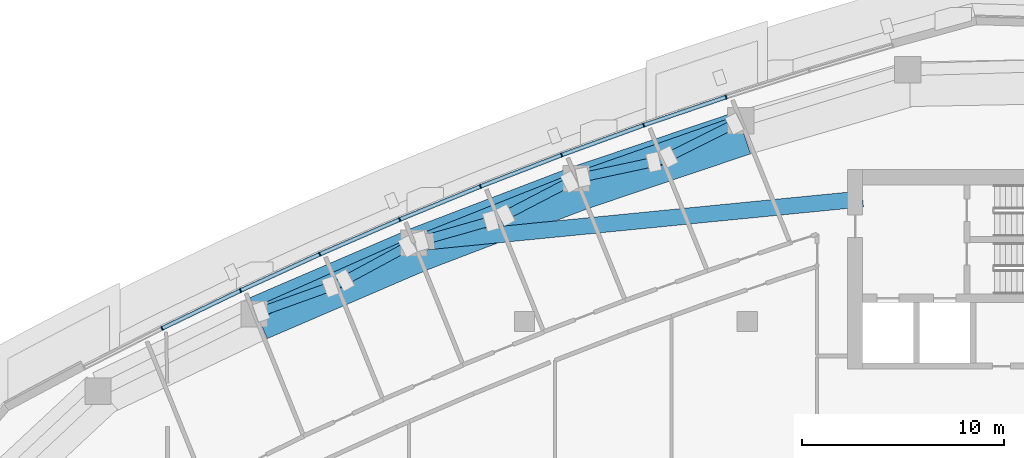
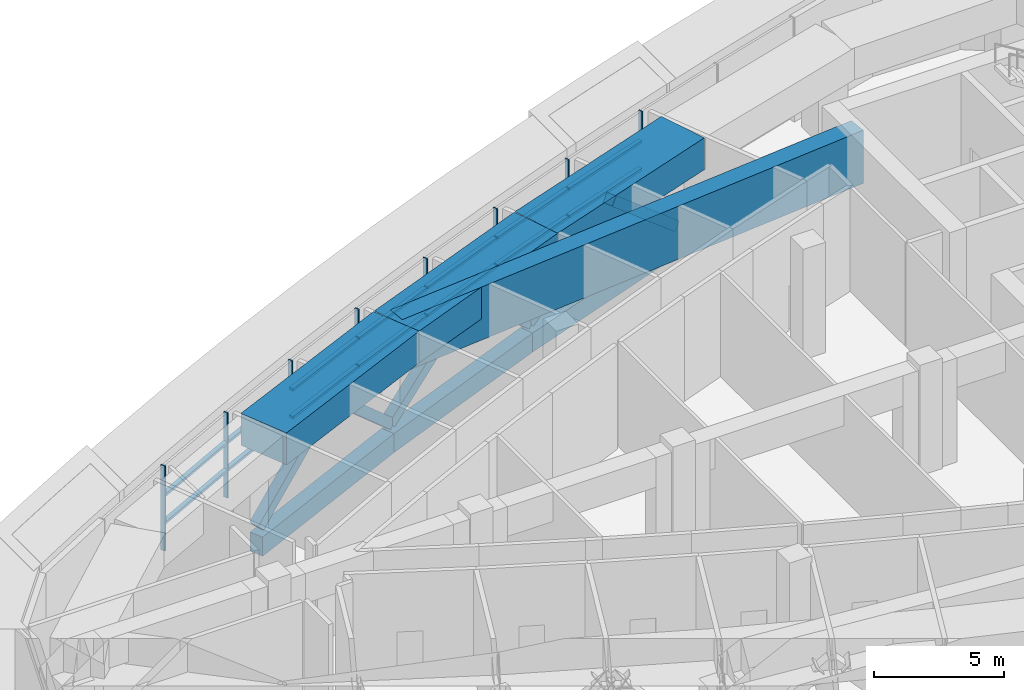
# One storey, part 6 of 17: 28 members, 7 beams, 5 elements without a shape of their own.
"""IFC4 building model written with IfcOpenShell, lengths in metres."""

import ifcopenshell
import ifcopenshell.guid

model = None  # the IFC model being written
_history = None  # IfcOwnerHistory: only IFC2X3 demands one
_inside = {}  # id of a spatial element -> (the spatial element, [elements in it])
_under = {}  # id of a project, library or spatial element -> (it, [spatial elements below it])
_declared = {}  # id of a project -> (the project, [libraries it declares])
_typed = {}  # id of a type object -> (the type object, [elements of that type])
_made_of = {}  # id of a material, layer set ... -> (it, [elements and type objects made of it])


def new_model(schema):
    """Start an empty IFC model of exactly this schema.

    Asked for "IFC4X3", IfcOpenShell would pick the latest addendum, in which some entities
    have other attributes; the version numbers below select the first issue.
    IFC2X3 requires an IfcOwnerHistory on every rooted entity: one is made here for all.
    """
    global model, _history
    if schema == "IFC4X3":
        model = ifcopenshell.file(schema_version=(4, 3, 0, 0))
    else:
        model = ifcopenshell.file(schema=schema)
    _inside.clear()
    _under.clear()
    _declared.clear()
    _typed.clear()
    _made_of.clear()
    _history = None
    if model.schema == "IFC2X3":
        org = make("IfcOrganization", Name="unknown")
        user = make(
            "IfcPersonAndOrganization",
            ThePerson=make("IfcPerson", FamilyName="unknown"),
            TheOrganization=org,
        )
        app = make(
            "IfcApplication",
            ApplicationDeveloper=org,
            Version="unknown",
            ApplicationFullName="unknown",
            ApplicationIdentifier="unknown",
        )
        _history = make(
            "IfcOwnerHistory",
            OwningUser=user,
            OwningApplication=app,
            ChangeAction="ADDED",
            CreationDate=0,
        )
    return model


def make(cls, **values):
    """One entity of the class cls with the attributes given. An attribute that is None is left unset."""
    return model.create_entity(
        cls, **{name: value for name, value in values.items() if value is not None}
    )


def rooted(cls, **values):
    """An entity with a GlobalId (a new one), such as an element, a storey or a relation."""
    return make(cls, GlobalId=ifcopenshell.guid.new(), OwnerHistory=_history, **values)


def si_unit(unit_type, name, prefix=None):
    """IfcSIUnit, for example si_unit("LENGTHUNIT", "METRE", prefix="MILLI")."""
    return make("IfcSIUnit", UnitType=unit_type, Prefix=prefix, Name=name)


def assignment(units):
    """IfcUnitAssignment: the units of a project."""
    return None if units is None else make("IfcUnitAssignment", Units=units)


def point(xyz):
    """IfcCartesianPoint."""
    return None if xyz is None else make("IfcCartesianPoint", Coordinates=xyz)


def direction(xyz):
    """IfcDirection."""
    return None if xyz is None else make("IfcDirection", DirectionRatios=xyz)


def frame(location, z_axis=None, x_axis=None):
    """IfcAxis2Placement3D, a coordinate frame: its origin and axes. An axis left out is left unset."""
    return make(
        "IfcAxis2Placement3D",
        Location=point(location),
        Axis=direction(z_axis),
        RefDirection=direction(x_axis),
    )


def frame_2d(location, x_axis=None):
    """IfcAxis2Placement2D, a coordinate frame in the plane: its origin and x axis."""
    return make(
        "IfcAxis2Placement2D", Location=point(location), RefDirection=direction(x_axis)
    )


def origin():
    """The frame at (0, 0, 0) with its axes left unset."""
    return frame((0.0, 0.0, 0.0))


def origin_2d():
    """The frame at (0, 0) in the plane with its x axis left unset."""
    return frame_2d((0.0, 0.0))


def place(relative_to, where):
    """IfcLocalPlacement: puts the frame where relative to a parent placement (None: the world)."""
    return make(
        "IfcLocalPlacement", PlacementRelTo=relative_to, RelativePlacement=where
    )


def context(
    kind, dimensions, precision=None, world=None, true_north=None, identifier=None
):
    """IfcGeometricRepresentationContext, for example the 3D "Model" context."""
    return make(
        "IfcGeometricRepresentationContext",
        ContextIdentifier=identifier,
        ContextType=kind,
        CoordinateSpaceDimension=dimensions,
        Precision=precision,
        WorldCoordinateSystem=world,
        TrueNorth=true_north,
    )


def subcontext(parent, identifier, kind, view, scale=None):
    """IfcGeometricRepresentationSubContext, for example "Body" below "Model"."""
    return make(
        "IfcGeometricRepresentationSubContext",
        ContextIdentifier=identifier,
        ContextType=kind,
        ParentContext=parent,
        TargetScale=scale,
        TargetView=view,
    )


def project(units=None, contexts=None):
    """IfcProject with its units and contexts."""
    return rooted(
        "IfcProject",
        Name="project",
        RepresentationContexts=contexts,
        UnitsInContext=assignment(units),
    )


def spatial(cls, under=None, at=None, **own):
    """A site, building, storey or space (cls), placed at a placement, below another one or the project."""
    s = rooted(cls, ObjectPlacement=at, **own)
    if under is not None:
        _under.setdefault(under.id(), (under, []))[1].append(s)
    return s


def profile(cls, at=None, kind="AREA", **sizes):
    """A parametric profile (cls). Its sizes go by their IFC names, for example OverallWidth=200.0."""
    return make(cls, ProfileType=kind, Position=at, **sizes)


def rectangle(**sizes):
    """IfcRectangleProfileDef."""
    return profile("IfcRectangleProfileDef", **sizes)


def hollow_rectangle(**sizes):
    """IfcRectangleHollowProfileDef."""
    return profile("IfcRectangleHollowProfileDef", **sizes)


def extrude(swept, where, along, depth):
    """IfcExtrudedAreaSolid: the profile swept, set in the frame where, extruded along a direction by depth."""
    return make(
        "IfcExtrudedAreaSolid",
        SweptArea=swept,
        Position=where,
        ExtrudedDirection=direction(along),
        Depth=depth,
    )


def shape(context_of_items, identifier, shape_type, items):
    """IfcShapeRepresentation: the items that make up one representation, for example the "Body"."""
    return make(
        "IfcShapeRepresentation",
        ContextOfItems=context_of_items,
        RepresentationIdentifier=identifier,
        RepresentationType=shape_type,
        Items=items,
    )


def material(Name=None, Category=None):
    """IfcMaterial."""
    return make("IfcMaterial", Name=Name, Category=Category)


def layer(
    of_material, thickness, ventilated=None, Name=None, Category=None, Priority=None
):
    """IfcMaterialLayer: one layer of a wall or slab, of a material (None: an air gap)."""
    return make(
        "IfcMaterialLayer",
        Material=of_material,
        LayerThickness=thickness,
        IsVentilated=ventilated,
        Name=Name,
        Category=Category,
        Priority=Priority,
    )


def layer_set(layers, Name=None):
    """IfcMaterialLayerSet."""
    return make("IfcMaterialLayerSet", MaterialLayers=layers, LayerSetName=Name)


def material_profile(
    of_material, cross_section, Name=None, Category=None, Priority=None
):
    """IfcMaterialProfile: a cross section and its material."""
    return make(
        "IfcMaterialProfile",
        Name=Name,
        Material=of_material,
        Profile=cross_section,
        Priority=Priority,
        Category=Category,
    )


def profile_set(profiles, Name=None, composite=None):
    """IfcMaterialProfileSet."""
    return make(
        "IfcMaterialProfileSet",
        Name=Name,
        MaterialProfiles=profiles,
        CompositeProfile=composite,
    )


def made_of(thing, what):
    """Note that an element or type object is made of a material, layer set ...; save() writes the relation."""
    if what is not None:
        _made_of.setdefault(what.id(), (what, []))[1].append(thing)
    return thing


def type_object(cls, material=None, **own):
    """A type object (cls), such as IfcWallType, which elements share."""
    return made_of(rooted(cls, **own), material)


def element(
    cls,
    number,
    at=None,
    inside=None,
    cuts=None,
    type_object=None,
    material=None,
    context=None,
    identifier="Body",
    shape_type=None,
    held_by="IfcProductDefinitionShape",
    body=None,
    shapes=None,
    **own,
):
    """One element of the class cls, such as IfcWall. Its Tag is "e" and its number.

    at: its placement. inside: the storey or other place that contains it. cuts: it is an
    opening in that element (IfcRelVoidsElement). A single representation is given by context,
    identifier, shape_type and body (its items); several are given by shapes. held_by: the class
    of the entity that holds the representations. save() writes the other relations.
    """
    e = rooted(cls, Tag="e%d" % number, ObjectPlacement=at, **own)
    if body is not None:
        shapes = [shape(context, identifier, shape_type, body)]
    if shapes is not None:
        e.Representation = make(held_by, Representations=shapes)
    if inside is not None:
        _inside.setdefault(inside.id(), (inside, []))[1].append(e)
    if cuts is not None:
        rooted(
            "IfcRelVoidsElement", RelatingBuildingElement=cuts, RelatedOpeningElement=e
        )
    if type_object is not None:
        _typed.setdefault(type_object.id(), (type_object, []))[1].append(e)
    return made_of(e, material)


def aggregate(whole, parts):
    """IfcRelAggregates: a whole, such as a stair, and the parts it consists of."""
    return rooted("IfcRelAggregates", RelatingObject=whole, RelatedObjects=parts)


def save(model, path):
    """Write the relations noted so far, then the file.

    IfcRelAggregates (storeys below a building ...), IfcRelContainedInSpatialStructure (elements
    in a storey), IfcRelDefinesByType, IfcRelAssociatesMaterial and IfcRelDeclares: one each for
    every whole, place, type object, material and project.
    """
    for whole, parts in _under.values():
        aggregate(whole, parts)
    for where, things in _inside.values():
        rooted(
            "IfcRelContainedInSpatialStructure",
            RelatedElements=things,
            RelatingStructure=where,
        )
    for kind, things in _typed.values():
        rooted("IfcRelDefinesByType", RelatedObjects=things, RelatingType=kind)
    for what, things in _made_of.values():
        rooted("IfcRelAssociatesMaterial", RelatedObjects=things, RelatingMaterial=what)
    for by, libraries in _declared.values():
        rooted("IfcRelDeclares", RelatingContext=by, RelatedDefinitions=libraries)
    model.write(path)


model = new_model("IFC4")

# Units and contexts
model_context = context("Model", 3, precision=1e-05, world=origin(), true_north=direction((0.0, 1.0)))
body_context = subcontext(model_context, "Body", "Model", "MODEL_VIEW")
ifc_project = project(units=[si_unit("LENGTHUNIT", "METRE"), si_unit("AREAUNIT", "SQUARE_METRE"), si_unit("VOLUMEUNIT", "CUBIC_METRE"), si_unit("PLANEANGLEUNIT", "RADIAN"), si_unit("MASSUNIT", "GRAM", prefix="KILO")], contexts=[model_context])

# Site, building, storey
site_placement = place(None, origin())
site = spatial("IfcSite", under=ifc_project, at=site_placement, CompositionType="ELEMENT")
building_placement = place(site_placement, origin())
building = spatial("IfcBuilding", under=site, at=building_placement, Name="Ostrand Prow Hotel Tower", CompositionType="ELEMENT")
storey_placement = place(building_placement, frame((0.0, 0.0, 211.0)))
storey = spatial("IfcBuildingStorey", under=building, at=storey_placement, Name="L53", CompositionType="ELEMENT", Elevation=211.0)

# Members
ifc_material_1 = material(Name="Steel S355", Category="steel")
ifc_material_profile_1 = material_profile(ifc_material_1, hollow_rectangle(XDim=0.45703125, YDim=0.45703125, WallThickness=0.025390625, at=origin_2d()), Name="HSS457x457x25.4")
ifc_profile_set_1 = profile_set([ifc_material_profile_1], Name="Steel S355")
member_type_1 = type_object("IfcMemberType", Name="Belt brace HSS457x457x25.4", PredefinedType="BRACE", material=ifc_profile_set_1)
member_1_placement = place(storey_placement, frame((20.656982421875, 9.373291015625, 0.0), z_axis=(0.715634497261, 0.256450851521, 0.649692409594), x_axis=(-0.337347800984, 0.941380083267, 0.0)))
element("IfcMember", 1, at=member_1_placement, inside=storey, type_object=member_type_1, Name="Belt brace 07", PredefinedType="BRACE", context=body_context, shape_type="SweptSolid", body=[
    extrude(hollow_rectangle(XDim=0.45703125, YDim=0.45703125, WallThickness=0.025390625, at=origin_2d()), origin(), (0.0, 0.0, 1.0), 5.77197265625),
])
member_2_placement = place(storey_placement, frame((28.5341796875, 12.878173828125, 0.0), z_axis=(-0.660262499588, -0.356806784118, 0.660864850363), x_axis=(0.47542230568, -0.879757711681, 0.0)))
element("IfcMember", 2, at=member_2_placement, inside=storey, type_object=member_type_1, Name="Belt brace 08", PredefinedType="BRACE", context=body_context, shape_type="SweptSolid", body=[
    extrude(hollow_rectangle(XDim=0.45703125, YDim=0.45703125, WallThickness=0.025390625, at=origin_2d()), origin(), (0.0, 0.0, 1.0), 5.67431640625),
])
member_3_placement = place(storey_placement, frame((28.5341796875, 12.878173828125, 0.0), z_axis=(0.72799578173, 0.2075126175, 0.653422264207), x_axis=(-0.274127299502, 0.961693414591, 0.0)))
element("IfcMember", 3, at=member_3_placement, inside=storey, type_object=member_type_1, Name="Belt brace 09", PredefinedType="BRACE", context=body_context, shape_type="SweptSolid", body=[
    extrude(hollow_rectangle(XDim=0.45703125, YDim=0.45703125, WallThickness=0.025390625, at=origin_2d()), origin(), (0.0, 0.0, 1.0), 5.739013671875),
])
member_4_placement = place(storey_placement, frame((36.547119140625, 16.060791015625, 0.0), z_axis=(-0.67026448341, -0.348104001506, 0.655415232059), x_axis=(0.460900844773, -0.887451638844, 0.0)))
element("IfcMember", 4, at=member_4_placement, inside=storey, type_object=member_type_1, Name="Belt brace 10", PredefinedType="BRACE", context=body_context, shape_type="SweptSolid", body=[
    extrude(hollow_rectangle(XDim=0.45703125, YDim=0.45703125, WallThickness=0.025390625, at=origin_2d()), origin(), (0.0, 0.0, 1.0), 5.7216796875),
])
member_5_placement = place(storey_placement, frame((36.547119140625, 16.060791015625, 0.0), z_axis=(0.737718452306, 0.157374237624, 0.656509584439), x_axis=(-0.208631245637, 0.977994377972, 0.0)))
element("IfcMember", 5, at=member_5_placement, inside=storey, type_object=member_type_1, Name="Belt brace 11", PredefinedType="BRACE", context=body_context, shape_type="SweptSolid", body=[
    extrude(hollow_rectangle(XDim=0.45703125, YDim=0.45703125, WallThickness=0.025390625, at=origin_2d()), origin(), (0.0, 0.0, 1.0), 5.7119140625),
])
member_6_placement = place(storey_placement, frame((44.6826171875, 18.91552734375, 0.0), z_axis=(-0.679924440852, -0.339094483948, 0.650167428966), x_axis=(0.446299704061, -0.894883553405, 0.0)))
element("IfcMember", 6, at=member_6_placement, inside=storey, type_object=member_type_1, Name="Belt brace 12", PredefinedType="BRACE", context=body_context, shape_type="SweptSolid", body=[
    extrude(hollow_rectangle(XDim=0.45703125, YDim=0.45703125, WallThickness=0.025390625, at=origin_2d()), origin(), (0.0, 0.0, 1.0), 5.767822265625),
])

# Beams
ifc_material_2 = material(Name="Concrete C60/75", Category="concrete")
ifc_material_profile_2 = material_profile(ifc_material_2, rectangle(XDim=2.199951171875, YDim=1.5, at=origin_2d()), Name="RC 2200x1500")
ifc_profile_set_2 = profile_set([ifc_material_profile_2], Name="Concrete C60/75")
beam_type_1 = type_object("IfcBeamType", Name="Belt girder 2200x1500 C60/75", PredefinedType="BEAM", material=ifc_profile_set_2)
for number, where, z_axis, x_axis, name in (
    (7, (44.814697265625, 18.323486328125, 4.14990234375), (-0.947809184917, -0.318838123485, 0.0), (0.318838123485, -0.947809184917, 0.0), "Belt girder N2-N3"),
    (8, (36.707275390625, 15.59619140625, 4.14990234375), (-0.934073395345, -0.357081072178, 0.0), (0.357081072178, -0.934073395345, 0.0), "Belt girder N3-N4"),
    (9, (28.71728515625, 12.541748046875, 4.14990234375), (-0.918799229305, -0.394725190771, 0.0), (0.394725190771, -0.918799229305, 0.0), "Belt girder N4-N5"),
):
    element("IfcBeam", number, at=place(storey_placement, frame(where, z_axis=z_axis, x_axis=x_axis)), inside=storey, type_object=beam_type_1, Name=name, PredefinedType="BEAM", context=body_context, shape_type="SweptSolid", body=[
        extrude(rectangle(XDim=2.199951171875, YDim=1.5, at=origin_2d()), origin(), (0.0, 0.0, 1.0), 8.553955078125),
    ])
ifc_material_3 = material(Name="Concrete C60/75", Category="concrete")
ifc_material_profile_3 = material_profile(ifc_material_3, rectangle(XDim=0.60009765625, YDim=0.89990234375, at=origin_2d()), Name="RC 600x900")
ifc_profile_set_3 = profile_set([ifc_material_profile_3], Name="Concrete C60/75")
beam_type_2 = type_object("IfcBeamType", Name="Edge beam 600x900 C60/75", PredefinedType="SPANDREL", material=ifc_profile_set_3)
for number, where, z_axis, x_axis, name in (
    (10, (44.6826171875, 18.91552734375, -0.85009765625), (-0.943593618681, -0.33110584831, 0.0), (0.33110584831, -0.943593618681, 0.0), "Edge beam N2-N3"),
    (11, (36.547119140625, 16.060791015625, -0.85009765625), (-0.929376173753, -0.36913402398, 0.0), (0.36913402398, -0.929376173753, 0.0), "Edge beam N3-N4"),
    (12, (28.5341796875, 12.878173828125, -0.85009765625), (-0.91364332073, -0.406516767779, 0.0), (0.406516767779, -0.91364332073, 0.0), "Edge beam N4-N5"),
):
    element("IfcBeam", number, at=place(storey_placement, frame(where, z_axis=z_axis, x_axis=x_axis)), inside=storey, type_object=beam_type_2, Name=name, PredefinedType="SPANDREL", context=body_context, shape_type="SweptSolid", body=[
        extrude(rectangle(XDim=0.60009765625, YDim=0.89990234375, at=origin_2d()), origin(), (0.0, 0.0, 1.0), 8.621826171875),
    ])

# Curtain wall, member
ifc_material_4 = material(Name="Insulated glass in bronze anodised frame", Category="glass")
ifc_layer = layer(ifc_material_4, 0.199951171875)
ifc_layer_set = layer_set([ifc_layer], Name="Insulated glass in bronze anodised frame")
curtain_wall_type = type_object("IfcCurtainWallType", Name="Plant storey louvre wall", PredefinedType="NOTDEFINED", material=ifc_layer_set)
curtain_wall_1_placement = place(storey_placement, origin())
curtain_wall_1 = element("IfcCurtainWall", 13, at=curtain_wall_1_placement, inside=storey, type_object=curtain_wall_type, Name="CW7 run CWN1", PredefinedType="NOTDEFINED")
ifc_material_5 = material(Name="Bronze anodised aluminium", Category="aluminium")
ifc_material_profile_4 = material_profile(ifc_material_5, rectangle(XDim=0.199951171875, YDim=0.06005859375, at=origin_2d()), Name="Mullion 60x200 bronze anodised aluminium")
ifc_profile_set_4 = profile_set([ifc_material_profile_4], Name="Bronze anodised aluminium")
member_type_2 = type_object("IfcMemberType", Name="Mullion 60x200 bronze anodised aluminium", PredefinedType="MULLION", material=ifc_profile_set_4)
member_7_placement = place(storey_placement, frame((43.95361328125, 20.086669921875, 0.89990234375), z_axis=(0.0, 0.0, 1.0), x_axis=(0.303786970008, -0.952739983864, 0.0)))
member_7 = element("IfcMember", 14, at=member_7_placement, type_object=member_type_2, Name="CW7 mullion 3", PredefinedType="MULLION", context=body_context, shape_type="SweptSolid", body=[
    extrude(rectangle(XDim=0.199951171875, YDim=0.06005859375, at=origin_2d()), origin(), (0.0, 0.0, 1.0), 4.0),
])
aggregate(curtain_wall_1, [member_7])

# Curtain wall, members
curtain_wall_2_placement = place(storey_placement, origin())
curtain_wall_2 = element("IfcCurtainWall", 15, at=curtain_wall_2_placement, inside=storey, type_object=curtain_wall_type, Name="CW7 run CWN2", PredefinedType="NOTDEFINED")
member_8_placement = place(storey_placement, frame((39.87939453125, 18.696533203125, 0.89990234375), z_axis=(0.0, 0.0, 1.0), x_axis=(0.341897134919, -0.939737383067, 0.0)))
member_8 = element("IfcMember", 16, at=member_8_placement, type_object=member_type_2, Name="CW7 mullion 2", PredefinedType="MULLION", context=body_context, shape_type="SweptSolid", body=[
    extrude(rectangle(XDim=0.199951171875, YDim=0.06005859375, at=origin_2d()), origin(), (0.0, 0.0, 1.0), 4.0),
])
member_9_placement = place(storey_placement, frame((35.833740234375, 17.224609375, 0.89990234375), z_axis=(0.0, 0.0, 1.0), x_axis=(0.341897134919, -0.939737383067, 0.0)))
member_9 = element("IfcMember", 17, at=member_9_placement, type_object=member_type_2, Name="CW7 mullion 3", PredefinedType="MULLION", context=body_context, shape_type="SweptSolid", body=[
    extrude(rectangle(XDim=0.199951171875, YDim=0.06005859375, at=origin_2d()), origin(), (0.0, 0.0, 1.0), 4.0),
])

curtain_wall_3_placement = place(storey_placement, origin())
curtain_wall_3 = element("IfcCurtainWall", 18, at=curtain_wall_3_placement, inside=storey, type_object=curtain_wall_type, Name="CW7 run CWN3", PredefinedType="NOTDEFINED")
member_10_placement = place(storey_placement, frame((31.818603515625, 15.671630859375, 0.89990234375), z_axis=(0.0, 0.0, 1.0), x_axis=(0.379452929936, -0.925211042932, 0.0)))
member_10 = element("IfcMember", 19, at=member_10_placement, type_object=member_type_2, Name="CW7 mullion 2", PredefinedType="MULLION", context=body_context, shape_type="SweptSolid", body=[
    extrude(rectangle(XDim=0.199951171875, YDim=0.06005859375, at=origin_2d()), origin(), (0.0, 0.0, 1.0), 4.0),
])
member_11_placement = place(storey_placement, frame((27.83544921875, 14.0380859375, 0.89990234375), z_axis=(0.0, 0.0, 1.0), x_axis=(0.379452929936, -0.925211042932, 0.0)))
member_11 = element("IfcMember", 20, at=member_11_placement, type_object=member_type_2, Name="CW7 mullion 3", PredefinedType="MULLION", context=body_context, shape_type="SweptSolid", body=[
    extrude(rectangle(XDim=0.199951171875, YDim=0.06005859375, at=origin_2d()), origin(), (0.0, 0.0, 1.0), 4.0),
])

curtain_wall_4_placement = place(storey_placement, origin())
curtain_wall_4 = element("IfcCurtainWall", 21, at=curtain_wall_4_placement, inside=storey, type_object=curtain_wall_type, Name="CW7 run CWN4", PredefinedType="NOTDEFINED")
member_12_placement = place(storey_placement, frame((23.885986328125, 12.32470703125, 0.89990234375), z_axis=(0.0, 0.0, 1.0), x_axis=(0.416393460127, -0.909184517226, 0.0)))
member_12 = element("IfcMember", 22, at=member_12_placement, type_object=member_type_2, Name="CW7 mullion 2", PredefinedType="MULLION", context=body_context, shape_type="SweptSolid", body=[
    extrude(rectangle(XDim=0.199951171875, YDim=0.06005859375, at=origin_2d()), origin(), (0.0, 0.0, 1.0), 4.0),
])
member_13_placement = place(storey_placement, frame((19.971923828125, 10.531982421875, 0.89990234375), z_axis=(0.0, 0.0, 1.0), x_axis=(0.416393460127, -0.909184517226, 0.0)))
member_13 = element("IfcMember", 23, at=member_13_placement, type_object=member_type_2, Name="CW7 mullion 3", PredefinedType="MULLION", context=body_context, shape_type="SweptSolid", body=[
    extrude(rectangle(XDim=0.199951171875, YDim=0.06005859375, at=origin_2d()), origin(), (0.0, 0.0, 1.0), 4.0),
])

# Curtain wall, member
curtain_wall_5_placement = place(storey_placement, origin())
curtain_wall_5 = element("IfcCurtainWall", 24, at=curtain_wall_5_placement, inside=storey, type_object=curtain_wall_type, Name="CW7 run CWN5", PredefinedType="NOTDEFINED")
member_14_placement = place(storey_placement, frame((16.0947265625, 8.660888671875, 0.89990234375), z_axis=(0.0, 0.0, 1.0), x_axis=(0.452658828186, -0.891683792196, 0.0)))
member_14 = element("IfcMember", 25, at=member_14_placement, type_object=member_type_2, Name="CW7 mullion 2", PredefinedType="MULLION", context=body_context, shape_type="SweptSolid", body=[
    extrude(rectangle(XDim=0.199951171875, YDim=0.06005859375, at=origin_2d()), origin(), (0.0, 0.0, 1.0), 4.0),
])

# Beam
ifc_material_6 = material(Name="Concrete C60/75", Category="concrete")
ifc_material_profile_5 = material_profile(ifc_material_6, rectangle(XDim=0.800048828125, YDim=2.5, at=origin_2d()), Name="RC 800x2500")
ifc_profile_set_5 = profile_set([ifc_material_profile_5], Name="Concrete C60/75")
beam_type_3 = type_object("IfcBeamType", Name="Outrigger lintel 800x2500 C60/75", PredefinedType="LINTEL", material=ifc_profile_set_5)
beam_placement = place(storey_placement, frame((50.697021484375, 15.05859375, 3.64990234375), z_axis=(-0.995195948853, -0.097903132672, 0.0), x_axis=(0.097903132672, -0.995195948853, 0.0)))
element("IfcBeam", 26, at=beam_placement, inside=storey, type_object=beam_type_3, Name="Outrigger lintel DN1", PredefinedType="LINTEL", context=body_context, shape_type="SweptSolid", body=[
    extrude(rectangle(XDim=0.800048828125, YDim=2.5, at=origin_2d()), origin(), (0.0, 0.0, 1.0), 21.86962890625),
])

# Member
ifc_material_7 = material(Name="Bronze anodised aluminium", Category="aluminium")
ifc_material_profile_6 = material_profile(ifc_material_7, rectangle(XDim=0.199951171875, YDim=0.1201171875, at=origin_2d()), Name="Transom 120x200 bronze anodised aluminium")
ifc_profile_set_6 = profile_set([ifc_material_profile_6], Name="Bronze anodised aluminium")
member_type_3 = type_object("IfcMemberType", Name="Transom 120x200 bronze anodised aluminium", PredefinedType="USERDEFINED", material=ifc_profile_set_6)
member_15_placement = place(storey_placement, frame((43.92529296875, 20.0771484375, 2.199951171875), z_axis=(-0.946422327772, -0.322931536852, 0.0), x_axis=(0.322931536852, -0.946422327772, 0.0)))
member_15 = element("IfcMember", 27, at=member_15_placement, type_object=member_type_3, Name="CW7 transom 1.1", ObjectType="TRANSOM", PredefinedType="USERDEFINED", context=body_context, shape_type="SweptSolid", body=[
    extrude(rectangle(XDim=0.199951171875, YDim=0.1201171875, at=origin_2d()), origin(), (0.0, 0.0, 1.0), 4.2451171875),
])

member_16_placement = place(storey_placement, frame((43.92529296875, 20.0771484375, 3.5), z_axis=(-0.946422327772, -0.322931536852, 0.0), x_axis=(0.322931536852, -0.946422327772, 0.0)))
member_16 = element("IfcMember", 28, at=member_16_placement, type_object=member_type_3, Name="CW7 transom 1.2", ObjectType="TRANSOM", PredefinedType="USERDEFINED", context=body_context, shape_type="SweptSolid", body=[
    extrude(rectangle(XDim=0.199951171875, YDim=0.1201171875, at=origin_2d()), origin(), (0.0, 0.0, 1.0), 4.2451171875),
])

member_17_placement = place(storey_placement, frame((39.85107421875, 18.686279296875, 2.199951171875), z_axis=(-0.939753116272, -0.341853887584, 0.0), x_axis=(0.341853887584, -0.939753116272, 0.0)))
member_17 = element("IfcMember", 29, at=member_17_placement, type_object=member_type_3, Name="CW7 transom 2.1", ObjectType="TRANSOM", PredefinedType="USERDEFINED", context=body_context, shape_type="SweptSolid", body=[
    extrude(rectangle(XDim=0.199951171875, YDim=0.1201171875, at=origin_2d()), origin(), (0.0, 0.0, 1.0), 4.2451171875),
])

member_18_placement = place(storey_placement, frame((39.85107421875, 18.686279296875, 3.5), z_axis=(-0.939753116272, -0.341853887584, 0.0), x_axis=(0.341853887584, -0.939753116272, 0.0)))
member_18 = element("IfcMember", 30, at=member_18_placement, type_object=member_type_3, Name="CW7 transom 2.2", ObjectType="TRANSOM", PredefinedType="USERDEFINED", context=body_context, shape_type="SweptSolid", body=[
    extrude(rectangle(XDim=0.199951171875, YDim=0.1201171875, at=origin_2d()), origin(), (0.0, 0.0, 1.0), 4.2451171875),
])

aggregate(curtain_wall_2, [member_8, member_9, member_15, member_16, member_17, member_18])

member_19_placement = place(storey_placement, frame((35.8056640625, 17.2138671875, 2.199951171875), z_axis=(-0.932675482501, -0.360716570651, 0.0), x_axis=(0.360716570651, -0.932675482501, 0.0)))
member_19 = element("IfcMember", 31, at=member_19_placement, type_object=member_type_3, Name="CW7 transom 1.1", ObjectType="TRANSOM", PredefinedType="USERDEFINED", context=body_context, shape_type="SweptSolid", body=[
    extrude(rectangle(XDim=0.199951171875, YDim=0.1201171875, at=origin_2d()), origin(), (0.0, 0.0, 1.0), 4.2451171875),
])

member_20_placement = place(storey_placement, frame((35.8056640625, 17.2138671875, 3.5), z_axis=(-0.932675482501, -0.360716570651, 0.0), x_axis=(0.360716570651, -0.932675482501, 0.0)))
member_20 = element("IfcMember", 32, at=member_20_placement, type_object=member_type_3, Name="CW7 transom 1.2", ObjectType="TRANSOM", PredefinedType="USERDEFINED", context=body_context, shape_type="SweptSolid", body=[
    extrude(rectangle(XDim=0.199951171875, YDim=0.1201171875, at=origin_2d()), origin(), (0.0, 0.0, 1.0), 4.2451171875),
])

member_21_placement = place(storey_placement, frame((31.790771484375, 15.660400390625, 2.199951171875), z_axis=(-0.925213143858, -0.379447807258, 0.0), x_axis=(0.379447807258, -0.925213143858, 0.0)))
member_21 = element("IfcMember", 33, at=member_21_placement, type_object=member_type_3, Name="CW7 transom 2.1", ObjectType="TRANSOM", PredefinedType="USERDEFINED", context=body_context, shape_type="SweptSolid", body=[
    extrude(rectangle(XDim=0.199951171875, YDim=0.1201171875, at=origin_2d()), origin(), (0.0, 0.0, 1.0), 4.2451171875),
])

member_22_placement = place(storey_placement, frame((31.790771484375, 15.660400390625, 3.5), z_axis=(-0.925213143858, -0.379447807258, 0.0), x_axis=(0.379447807258, -0.925213143858, 0.0)))
member_22 = element("IfcMember", 34, at=member_22_placement, type_object=member_type_3, Name="CW7 transom 2.2", ObjectType="TRANSOM", PredefinedType="USERDEFINED", context=body_context, shape_type="SweptSolid", body=[
    extrude(rectangle(XDim=0.199951171875, YDim=0.1201171875, at=origin_2d()), origin(), (0.0, 0.0, 1.0), 4.2451171875),
])

aggregate(curtain_wall_3, [member_10, member_11, member_19, member_20, member_21, member_22])

member_23_placement = place(storey_placement, frame((27.807861328125, 14.026123046875, 2.199951171875), z_axis=(-0.917389785482, -0.397989926371, 0.0), x_axis=(0.397989926371, -0.917389785482, 0.0)))
member_23 = element("IfcMember", 35, at=member_23_placement, type_object=member_type_3, Name="CW7 transom 1.1", ObjectType="TRANSOM", PredefinedType="USERDEFINED", context=body_context, shape_type="SweptSolid", body=[
    extrude(rectangle(XDim=0.199951171875, YDim=0.1201171875, at=origin_2d()), origin(), (0.0, 0.0, 1.0), 4.244873046875),
])

member_24_placement = place(storey_placement, frame((27.807861328125, 14.026123046875, 3.5), z_axis=(-0.917389785482, -0.397989926371, 0.0), x_axis=(0.397989926371, -0.917389785482, 0.0)))
member_24 = element("IfcMember", 36, at=member_24_placement, type_object=member_type_3, Name="CW7 transom 1.2", ObjectType="TRANSOM", PredefinedType="USERDEFINED", context=body_context, shape_type="SweptSolid", body=[
    extrude(rectangle(XDim=0.199951171875, YDim=0.1201171875, at=origin_2d()), origin(), (0.0, 0.0, 1.0), 4.244873046875),
])

member_25_placement = place(storey_placement, frame((23.858642578125, 12.312255859375, 2.199951171875), z_axis=(-0.909159196143, -0.416448743628, 0.0), x_axis=(0.416448743628, -0.909159196143, 0.0)))
member_25 = element("IfcMember", 37, at=member_25_placement, type_object=member_type_3, Name="CW7 transom 2.1", ObjectType="TRANSOM", PredefinedType="USERDEFINED", context=body_context, shape_type="SweptSolid", body=[
    extrude(rectangle(XDim=0.199951171875, YDim=0.1201171875, at=origin_2d()), origin(), (0.0, 0.0, 1.0), 4.244873046875),
])

member_26_placement = place(storey_placement, frame((23.858642578125, 12.312255859375, 3.5), z_axis=(-0.909159196143, -0.416448743628, 0.0), x_axis=(0.416448743628, -0.909159196143, 0.0)))
member_26 = element("IfcMember", 38, at=member_26_placement, type_object=member_type_3, Name="CW7 transom 2.2", ObjectType="TRANSOM", PredefinedType="USERDEFINED", context=body_context, shape_type="SweptSolid", body=[
    extrude(rectangle(XDim=0.199951171875, YDim=0.1201171875, at=origin_2d()), origin(), (0.0, 0.0, 1.0), 4.244873046875),
])

aggregate(curtain_wall_4, [member_12, member_13, member_23, member_24, member_25, member_26])

member_27_placement = place(storey_placement, frame((19.94482421875, 10.51904296875, 2.199951171875), z_axis=(-0.900619174345, -0.434609137965, 0.0), x_axis=(0.434609137965, -0.900619174345, 0.0)))
member_27 = element("IfcMember", 39, at=member_27_placement, type_object=member_type_3, Name="CW7 transom 1.1", ObjectType="TRANSOM", PredefinedType="USERDEFINED", context=body_context, shape_type="SweptSolid", body=[
    extrude(rectangle(XDim=0.199951171875, YDim=0.1201171875, at=origin_2d()), origin(), (0.0, 0.0, 1.0), 4.2451171875),
])

member_28_placement = place(storey_placement, frame((19.94482421875, 10.51904296875, 3.5), z_axis=(-0.900619174345, -0.434609137965, 0.0), x_axis=(0.434609137965, -0.900619174345, 0.0)))
member_28 = element("IfcMember", 40, at=member_28_placement, type_object=member_type_3, Name="CW7 transom 1.2", ObjectType="TRANSOM", PredefinedType="USERDEFINED", context=body_context, shape_type="SweptSolid", body=[
    extrude(rectangle(XDim=0.199951171875, YDim=0.1201171875, at=origin_2d()), origin(), (0.0, 0.0, 1.0), 4.2451171875),
])

aggregate(curtain_wall_5, [member_14, member_27, member_28])

save(model, "model.ifc")
